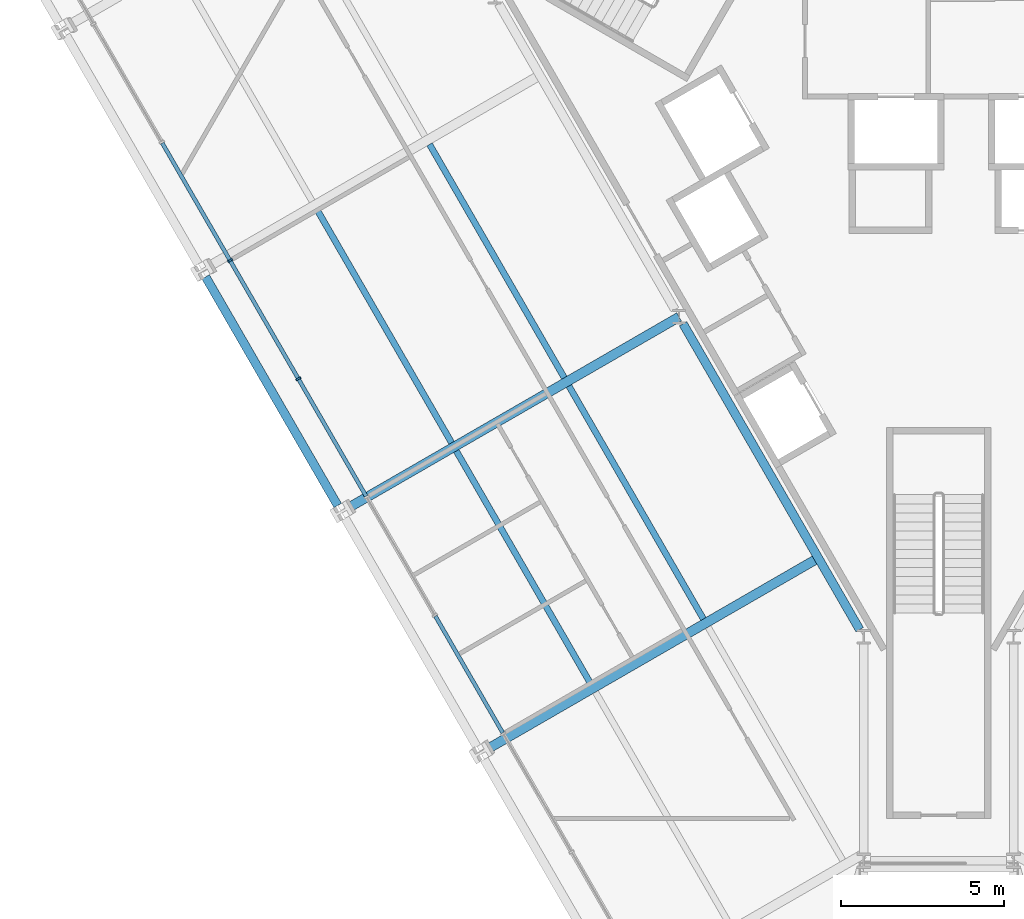
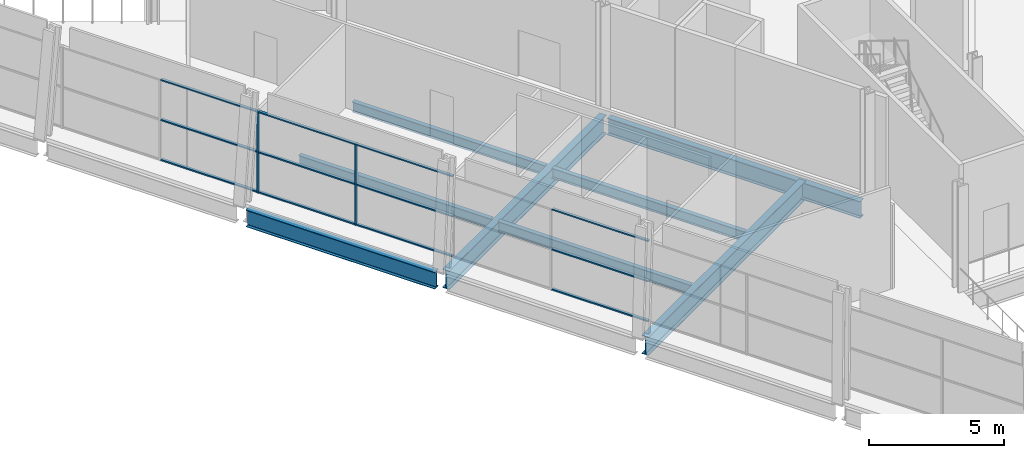
# One storey, part 3 of 18: 14 members, 8 beams, 1 element without a shape of its own.
"""IFC4 building model written with IfcOpenShell, lengths in metres."""

import ifcopenshell
import ifcopenshell.guid

model = None  # the IFC model being written
_history = None  # IfcOwnerHistory: only IFC2X3 demands one
_inside = {}  # id of a spatial element -> (the spatial element, [elements in it])
_under = {}  # id of a project, library or spatial element -> (it, [spatial elements below it])
_declared = {}  # id of a project -> (the project, [libraries it declares])
_typed = {}  # id of a type object -> (the type object, [elements of that type])
_made_of = {}  # id of a material, layer set ... -> (it, [elements and type objects made of it])


def new_model(schema):
    """Start an empty IFC model of exactly this schema.

    Asked for "IFC4X3", IfcOpenShell would pick the latest addendum, in which some entities
    have other attributes; the version numbers below select the first issue.
    IFC2X3 requires an IfcOwnerHistory on every rooted entity: one is made here for all.
    """
    global model, _history
    if schema == "IFC4X3":
        model = ifcopenshell.file(schema_version=(4, 3, 0, 0))
    else:
        model = ifcopenshell.file(schema=schema)
    _inside.clear()
    _under.clear()
    _declared.clear()
    _typed.clear()
    _made_of.clear()
    _history = None
    if model.schema == "IFC2X3":
        org = make("IfcOrganization", Name="unknown")
        user = make(
            "IfcPersonAndOrganization",
            ThePerson=make("IfcPerson", FamilyName="unknown"),
            TheOrganization=org,
        )
        app = make(
            "IfcApplication",
            ApplicationDeveloper=org,
            Version="unknown",
            ApplicationFullName="unknown",
            ApplicationIdentifier="unknown",
        )
        _history = make(
            "IfcOwnerHistory",
            OwningUser=user,
            OwningApplication=app,
            ChangeAction="ADDED",
            CreationDate=0,
        )
    return model


def make(cls, **values):
    """One entity of the class cls with the attributes given. An attribute that is None is left unset."""
    return model.create_entity(
        cls, **{name: value for name, value in values.items() if value is not None}
    )


def rooted(cls, **values):
    """An entity with a GlobalId (a new one), such as an element, a storey or a relation."""
    return make(cls, GlobalId=ifcopenshell.guid.new(), OwnerHistory=_history, **values)


def si_unit(unit_type, name, prefix=None):
    """IfcSIUnit, for example si_unit("LENGTHUNIT", "METRE", prefix="MILLI")."""
    return make("IfcSIUnit", UnitType=unit_type, Prefix=prefix, Name=name)


def assignment(units):
    """IfcUnitAssignment: the units of a project."""
    return None if units is None else make("IfcUnitAssignment", Units=units)


def point(xyz):
    """IfcCartesianPoint."""
    return None if xyz is None else make("IfcCartesianPoint", Coordinates=xyz)


def direction(xyz):
    """IfcDirection."""
    return None if xyz is None else make("IfcDirection", DirectionRatios=xyz)


def frame(location, z_axis=None, x_axis=None):
    """IfcAxis2Placement3D, a coordinate frame: its origin and axes. An axis left out is left unset."""
    return make(
        "IfcAxis2Placement3D",
        Location=point(location),
        Axis=direction(z_axis),
        RefDirection=direction(x_axis),
    )


def frame_2d(location, x_axis=None):
    """IfcAxis2Placement2D, a coordinate frame in the plane: its origin and x axis."""
    return make(
        "IfcAxis2Placement2D", Location=point(location), RefDirection=direction(x_axis)
    )


def origin():
    """The frame at (0, 0, 0) with its axes left unset."""
    return frame((0.0, 0.0, 0.0))


def origin_2d():
    """The frame at (0, 0) in the plane with its x axis left unset."""
    return frame_2d((0.0, 0.0))


def place(relative_to, where):
    """IfcLocalPlacement: puts the frame where relative to a parent placement (None: the world)."""
    return make(
        "IfcLocalPlacement", PlacementRelTo=relative_to, RelativePlacement=where
    )


def context(
    kind, dimensions, precision=None, world=None, true_north=None, identifier=None
):
    """IfcGeometricRepresentationContext, for example the 3D "Model" context."""
    return make(
        "IfcGeometricRepresentationContext",
        ContextIdentifier=identifier,
        ContextType=kind,
        CoordinateSpaceDimension=dimensions,
        Precision=precision,
        WorldCoordinateSystem=world,
        TrueNorth=true_north,
    )


def subcontext(parent, identifier, kind, view, scale=None):
    """IfcGeometricRepresentationSubContext, for example "Body" below "Model"."""
    return make(
        "IfcGeometricRepresentationSubContext",
        ContextIdentifier=identifier,
        ContextType=kind,
        ParentContext=parent,
        TargetScale=scale,
        TargetView=view,
    )


def project(units=None, contexts=None):
    """IfcProject with its units and contexts."""
    return rooted(
        "IfcProject",
        Name="project",
        RepresentationContexts=contexts,
        UnitsInContext=assignment(units),
    )


def spatial(cls, under=None, at=None, **own):
    """A site, building, storey or space (cls), placed at a placement, below another one or the project."""
    s = rooted(cls, ObjectPlacement=at, **own)
    if under is not None:
        _under.setdefault(under.id(), (under, []))[1].append(s)
    return s


def profile(cls, at=None, kind="AREA", **sizes):
    """A parametric profile (cls). Its sizes go by their IFC names, for example OverallWidth=200.0."""
    return make(cls, ProfileType=kind, Position=at, **sizes)


def rectangle(**sizes):
    """IfcRectangleProfileDef."""
    return profile("IfcRectangleProfileDef", **sizes)


def i_section(**sizes):
    """IfcIShapeProfileDef."""
    return profile("IfcIShapeProfileDef", **sizes)


def extrude(swept, where, along, depth):
    """IfcExtrudedAreaSolid: the profile swept, set in the frame where, extruded along a direction by depth."""
    return make(
        "IfcExtrudedAreaSolid",
        SweptArea=swept,
        Position=where,
        ExtrudedDirection=direction(along),
        Depth=depth,
    )


def shape(context_of_items, identifier, shape_type, items):
    """IfcShapeRepresentation: the items that make up one representation, for example the "Body"."""
    return make(
        "IfcShapeRepresentation",
        ContextOfItems=context_of_items,
        RepresentationIdentifier=identifier,
        RepresentationType=shape_type,
        Items=items,
    )


def material(Name=None, Category=None):
    """IfcMaterial."""
    return make("IfcMaterial", Name=Name, Category=Category)


def layer(
    of_material, thickness, ventilated=None, Name=None, Category=None, Priority=None
):
    """IfcMaterialLayer: one layer of a wall or slab, of a material (None: an air gap)."""
    return make(
        "IfcMaterialLayer",
        Material=of_material,
        LayerThickness=thickness,
        IsVentilated=ventilated,
        Name=Name,
        Category=Category,
        Priority=Priority,
    )


def layer_set(layers, Name=None):
    """IfcMaterialLayerSet."""
    return make("IfcMaterialLayerSet", MaterialLayers=layers, LayerSetName=Name)


def material_profile(
    of_material, cross_section, Name=None, Category=None, Priority=None
):
    """IfcMaterialProfile: a cross section and its material."""
    return make(
        "IfcMaterialProfile",
        Name=Name,
        Material=of_material,
        Profile=cross_section,
        Priority=Priority,
        Category=Category,
    )


def profile_set(profiles, Name=None, composite=None):
    """IfcMaterialProfileSet."""
    return make(
        "IfcMaterialProfileSet",
        Name=Name,
        MaterialProfiles=profiles,
        CompositeProfile=composite,
    )


def made_of(thing, what):
    """Note that an element or type object is made of a material, layer set ...; save() writes the relation."""
    if what is not None:
        _made_of.setdefault(what.id(), (what, []))[1].append(thing)
    return thing


def type_object(cls, material=None, **own):
    """A type object (cls), such as IfcWallType, which elements share."""
    return made_of(rooted(cls, **own), material)


def element(
    cls,
    number,
    at=None,
    inside=None,
    cuts=None,
    type_object=None,
    material=None,
    context=None,
    identifier="Body",
    shape_type=None,
    held_by="IfcProductDefinitionShape",
    body=None,
    shapes=None,
    **own,
):
    """One element of the class cls, such as IfcWall. Its Tag is "e" and its number.

    at: its placement. inside: the storey or other place that contains it. cuts: it is an
    opening in that element (IfcRelVoidsElement). A single representation is given by context,
    identifier, shape_type and body (its items); several are given by shapes. held_by: the class
    of the entity that holds the representations. save() writes the other relations.
    """
    e = rooted(cls, Tag="e%d" % number, ObjectPlacement=at, **own)
    if body is not None:
        shapes = [shape(context, identifier, shape_type, body)]
    if shapes is not None:
        e.Representation = make(held_by, Representations=shapes)
    if inside is not None:
        _inside.setdefault(inside.id(), (inside, []))[1].append(e)
    if cuts is not None:
        rooted(
            "IfcRelVoidsElement", RelatingBuildingElement=cuts, RelatedOpeningElement=e
        )
    if type_object is not None:
        _typed.setdefault(type_object.id(), (type_object, []))[1].append(e)
    return made_of(e, material)


def aggregate(whole, parts):
    """IfcRelAggregates: a whole, such as a stair, and the parts it consists of."""
    return rooted("IfcRelAggregates", RelatingObject=whole, RelatedObjects=parts)


def save(model, path):
    """Write the relations noted so far, then the file.

    IfcRelAggregates (storeys below a building ...), IfcRelContainedInSpatialStructure (elements
    in a storey), IfcRelDefinesByType, IfcRelAssociatesMaterial and IfcRelDeclares: one each for
    every whole, place, type object, material and project.
    """
    for whole, parts in _under.values():
        aggregate(whole, parts)
    for where, things in _inside.values():
        rooted(
            "IfcRelContainedInSpatialStructure",
            RelatedElements=things,
            RelatingStructure=where,
        )
    for kind, things in _typed.values():
        rooted("IfcRelDefinesByType", RelatedObjects=things, RelatingType=kind)
    for what, things in _made_of.values():
        rooted("IfcRelAssociatesMaterial", RelatedObjects=things, RelatingMaterial=what)
    for by, libraries in _declared.values():
        rooted("IfcRelDeclares", RelatingContext=by, RelatedDefinitions=libraries)
    model.write(path)


model = new_model("IFC4")

# Units and contexts
model_context = context("Model", 3, precision=1e-05, world=origin(), true_north=direction((0.0, 1.0)))
body_context = subcontext(model_context, "Body", "Model", "MODEL_VIEW")
ifc_project = project(units=[si_unit("LENGTHUNIT", "METRE"), si_unit("AREAUNIT", "SQUARE_METRE"), si_unit("VOLUMEUNIT", "CUBIC_METRE"), si_unit("PLANEANGLEUNIT", "RADIAN"), si_unit("MASSUNIT", "GRAM", prefix="KILO")], contexts=[model_context])

# Site, building, storey
site_placement = place(None, origin())
site = spatial("IfcSite", under=ifc_project, at=site_placement, CompositionType="ELEMENT")
building_placement = place(site_placement, origin())
building = spatial("IfcBuilding", under=site, at=building_placement, Name="Verrane Prism Tower", CompositionType="ELEMENT")
storey_placement = place(building_placement, frame((0.0, 0.0, 32.0)))
storey = spatial("IfcBuildingStorey", under=building, at=storey_placement, Name="L05", CompositionType="ELEMENT", Elevation=32.0)

# Curtain wall, members
ifc_material_1 = material(Name="Aluminium and glass curtain wall", Category="aluminium")
ifc_layer = layer(ifc_material_1, 0.199951171875)
ifc_layer_set = layer_set([ifc_layer], Name="CWB-1 retail curtain wall")
curtain_wall_type = type_object("IfcCurtainWallType", Name="CWB-1 retail curtain wall", PredefinedType="NOTDEFINED", material=ifc_layer_set)
curtain_wall_placement = place(storey_placement, origin())
curtain_wall = element("IfcCurtainWall", 1, at=curtain_wall_placement, inside=storey, type_object=curtain_wall_type, Name="Retail curtain wall L05 4", PredefinedType="NOTDEFINED")
ifc_material_2 = material(Name="Aluminium", Category="aluminium")
ifc_material_profile_1 = material_profile(ifc_material_2, rectangle(XDim=0.159912109375, YDim=0.06005859375, at=origin_2d()), Name="CWB-M 60x160 mullion")
ifc_profile_set_1 = profile_set([ifc_material_profile_1], Name="Aluminium")
member_type_1 = type_object("IfcMemberType", Name="CWB-M 60x160 mullion", PredefinedType="MULLION", material=ifc_profile_set_1)
member_1_placement = place(storey_placement, frame((-21.74560546875, -2.87548828125, 0.0), z_axis=(0.0, 0.0, 1.0), x_axis=(0.866025335097, 0.50000011897, 0.0)))
member_1 = element("IfcMember", 2, at=member_1_placement, type_object=member_type_1, Name="CWB54 mullion 5", PredefinedType="MULLION", context=body_context, shape_type="SweptSolid", body=[
    extrude(rectangle(XDim=0.159912109375, YDim=0.06005859375, at=origin_2d()), origin(), (0.0, 0.0, 1.0), 3.68994140625),
])
member_2_placement = place(storey_placement, frame((-19.64990234375, -6.505126953125, 0.0), z_axis=(0.0, 0.0, 1.0), x_axis=(0.866025335097, 0.50000011897, 0.0)))
member_2 = element("IfcMember", 3, at=member_2_placement, type_object=member_type_1, Name="CWB54 mullion 6", PredefinedType="MULLION", context=body_context, shape_type="SweptSolid", body=[
    extrude(rectangle(XDim=0.159912109375, YDim=0.06005859375, at=origin_2d()), origin(), (0.0, 0.0, 1.0), 3.68994140625),
])
ifc_material_3 = material(Name="Aluminium", Category="aluminium")
ifc_material_profile_2 = material_profile(ifc_material_3, rectangle(XDim=0.1201171875, YDim=0.06005859375, at=origin_2d()), Name="CWB-T 60x120 transom")
ifc_profile_set_2 = profile_set([ifc_material_profile_2], Name="Aluminium")
member_type_2 = type_object("IfcMemberType", Name="CWB-T 60x120 transom", PredefinedType="USERDEFINED", material=ifc_profile_set_2)
member_3_placement = place(storey_placement, frame((-23.826416015625, 0.728271484375, 0.030029296875), z_axis=(0.500022567122, -0.866012374259, 0.0), x_axis=(0.866012374259, 0.500022567122, 0.0)))
member_3 = element("IfcMember", 4, at=member_3_placement, type_object=member_type_2, Name="CWB54 transom 4.1", ObjectType="TRANSOM", PredefinedType="USERDEFINED", context=body_context, shape_type="SweptSolid", body=[
    extrude(rectangle(XDim=0.1201171875, YDim=0.06005859375, at=origin_2d()), origin(), (0.0, 0.0, 1.0), 4.131103515625),
])
member_4_placement = place(storey_placement, frame((-23.826416015625, 0.728271484375, 1.844970703125), z_axis=(0.500022567122, -0.866012374259, 0.0), x_axis=(0.866012374259, 0.500022567122, 0.0)))
member_4 = element("IfcMember", 5, at=member_4_placement, type_object=member_type_2, Name="CWB54 transom 4.2", ObjectType="TRANSOM", PredefinedType="USERDEFINED", context=body_context, shape_type="SweptSolid", body=[
    extrude(rectangle(XDim=0.1201171875, YDim=0.06005859375, at=origin_2d()), origin(), (0.0, 0.0, 1.0), 4.131103515625),
])
member_5_placement = place(storey_placement, frame((-23.826416015625, 0.728271484375, 3.659912109375), z_axis=(0.500022567122, -0.866012374259, 0.0), x_axis=(0.866012374259, 0.500022567122, 0.0)))
member_5 = element("IfcMember", 6, at=member_5_placement, type_object=member_type_2, Name="CWB54 transom 4.3", ObjectType="TRANSOM", PredefinedType="USERDEFINED", context=body_context, shape_type="SweptSolid", body=[
    extrude(rectangle(XDim=0.1201171875, YDim=0.06005859375, at=origin_2d()), origin(), (0.0, 0.0, 1.0), 4.131103515625),
])
member_6_placement = place(storey_placement, frame((-21.730712890625, -2.9013671875, 0.030029296875), z_axis=(0.499996977546, -0.866027148792, 0.0), x_axis=(0.866027148792, 0.499996977546, 0.0)))
member_6 = element("IfcMember", 7, at=member_6_placement, type_object=member_type_2, Name="CWB54 transom 5.1", ObjectType="TRANSOM", PredefinedType="USERDEFINED", context=body_context, shape_type="SweptSolid", body=[
    extrude(rectangle(XDim=0.1201171875, YDim=0.06005859375, at=origin_2d()), origin(), (0.0, 0.0, 1.0), 4.13134765625),
])
member_7_placement = place(storey_placement, frame((-21.730712890625, -2.9013671875, 1.844970703125), z_axis=(0.499996977546, -0.866027148792, 0.0), x_axis=(0.866027148792, 0.499996977546, 0.0)))
member_7 = element("IfcMember", 8, at=member_7_placement, type_object=member_type_2, Name="CWB54 transom 5.2", ObjectType="TRANSOM", PredefinedType="USERDEFINED", context=body_context, shape_type="SweptSolid", body=[
    extrude(rectangle(XDim=0.1201171875, YDim=0.06005859375, at=origin_2d()), origin(), (0.0, 0.0, 1.0), 4.13134765625),
])
member_8_placement = place(storey_placement, frame((-21.730712890625, -2.9013671875, 3.659912109375), z_axis=(0.499996977546, -0.866027148792, 0.0), x_axis=(0.866027148792, 0.499996977546, 0.0)))
member_8 = element("IfcMember", 9, at=member_8_placement, type_object=member_type_2, Name="CWB54 transom 5.3", ObjectType="TRANSOM", PredefinedType="USERDEFINED", context=body_context, shape_type="SweptSolid", body=[
    extrude(rectangle(XDim=0.1201171875, YDim=0.06005859375, at=origin_2d()), origin(), (0.0, 0.0, 1.0), 4.13134765625),
])
member_9_placement = place(storey_placement, frame((-19.635009765625, -6.53125, 0.030029296875), z_axis=(0.499996977546, -0.866027148792, 0.0), x_axis=(0.866027148792, 0.499996977546, 0.0)))
member_9 = element("IfcMember", 10, at=member_9_placement, type_object=member_type_2, Name="CWB54 transom 6.1", ObjectType="TRANSOM", PredefinedType="USERDEFINED", context=body_context, shape_type="SweptSolid", body=[
    extrude(rectangle(XDim=0.1201171875, YDim=0.06005859375, at=origin_2d()), origin(), (0.0, 0.0, 1.0), 4.13134765625),
])
member_10_placement = place(storey_placement, frame((-19.635009765625, -6.53125, 1.844970703125), z_axis=(0.499996977546, -0.866027148792, 0.0), x_axis=(0.866027148792, 0.499996977546, 0.0)))
member_10 = element("IfcMember", 11, at=member_10_placement, type_object=member_type_2, Name="CWB54 transom 6.2", ObjectType="TRANSOM", PredefinedType="USERDEFINED", context=body_context, shape_type="SweptSolid", body=[
    extrude(rectangle(XDim=0.1201171875, YDim=0.06005859375, at=origin_2d()), origin(), (0.0, 0.0, 1.0), 4.13134765625),
])
member_11_placement = place(storey_placement, frame((-19.635009765625, -6.53125, 3.659912109375), z_axis=(0.499996977546, -0.866027148792, 0.0), x_axis=(0.866027148792, 0.499996977546, 0.0)))
member_11 = element("IfcMember", 12, at=member_11_placement, type_object=member_type_2, Name="CWB54 transom 6.3", ObjectType="TRANSOM", PredefinedType="USERDEFINED", context=body_context, shape_type="SweptSolid", body=[
    extrude(rectangle(XDim=0.1201171875, YDim=0.06005859375, at=origin_2d()), origin(), (0.0, 0.0, 1.0), 4.13134765625),
])
member_12_placement = place(storey_placement, frame((-15.443603515625, -13.790771484375, 0.030029296875), z_axis=(0.499996977546, -0.866027148792, 0.0), x_axis=(0.866027148792, 0.499996977546, 0.0)))
member_12 = element("IfcMember", 13, at=member_12_placement, type_object=member_type_2, Name="CWB54 transom 8.1", ObjectType="TRANSOM", PredefinedType="USERDEFINED", context=body_context, shape_type="SweptSolid", body=[
    extrude(rectangle(XDim=0.1201171875, YDim=0.06005859375, at=origin_2d()), origin(), (0.0, 0.0, 1.0), 4.13134765625),
])
member_13_placement = place(storey_placement, frame((-15.443603515625, -13.790771484375, 1.844970703125), z_axis=(0.499996977546, -0.866027148792, 0.0), x_axis=(0.866027148792, 0.499996977546, 0.0)))
member_13 = element("IfcMember", 14, at=member_13_placement, type_object=member_type_2, Name="CWB54 transom 8.2", ObjectType="TRANSOM", PredefinedType="USERDEFINED", context=body_context, shape_type="SweptSolid", body=[
    extrude(rectangle(XDim=0.1201171875, YDim=0.06005859375, at=origin_2d()), origin(), (0.0, 0.0, 1.0), 4.13134765625),
])
member_14_placement = place(storey_placement, frame((-15.443603515625, -13.790771484375, 3.659912109375), z_axis=(0.499996977546, -0.866027148792, 0.0), x_axis=(0.866027148792, 0.499996977546, 0.0)))
member_14 = element("IfcMember", 15, at=member_14_placement, type_object=member_type_2, Name="CWB54 transom 8.3", ObjectType="TRANSOM", PredefinedType="USERDEFINED", context=body_context, shape_type="SweptSolid", body=[
    extrude(rectangle(XDim=0.1201171875, YDim=0.06005859375, at=origin_2d()), origin(), (0.0, 0.0, 1.0), 4.13134765625),
])
aggregate(curtain_wall, [member_1, member_2, member_3, member_4, member_5, member_6, member_7, member_8, member_9, member_10, member_11, member_12, member_13, member_14])

# Beams
ifc_material_4 = material(Name="Steel A992", Category="steel")
ifc_material_profile_3 = material_profile(ifc_material_4, i_section(OverallWidth=0.2666015625, OverallDepth=0.76708984375, WebThickness=0.014892578125, FlangeThickness=0.023681640625, FilletRadius=0.0166015625, at=origin_2d()), Name="W30x124")
ifc_profile_set_3 = profile_set([ifc_material_profile_3], Name="Steel A992")
beam_type_1 = type_object("IfcBeamType", Name="Core ring girder W30x124", PredefinedType="BEAM", material=ifc_profile_set_3)
beam_1_placement = place(storey_placement, frame((-7.844482421875, -4.817138671875, -0.633544921875), z_axis=(0.500022744667, -0.866012271747, 0.0), x_axis=(0.866012271747, 0.500022744667, 0.0)))
element("IfcBeam", 16, at=beam_1_placement, inside=storey, type_object=beam_type_1, Name="Core ring girder L05", PredefinedType="BEAM", context=body_context, shape_type="SweptSolid", body=[
    extrude(i_section(OverallWidth=0.2666015625, OverallDepth=0.76708984375, WebThickness=0.014892578125, FlangeThickness=0.023681640625, FilletRadius=0.0166015625, at=origin_2d()), origin(), (0.0, 0.0, 1.0), 10.837890625),
])
ifc_material_5 = material(Name="Steel A992", Category="steel")
ifc_material_profile_4 = material_profile(ifc_material_5, i_section(OverallWidth=0.1904296875, OverallDepth=0.457275390625, WebThickness=0.009033203125, FlangeThickness=0.014404296875, FilletRadius=0.01025390625, at=origin_2d()), Name="W18x50")
ifc_profile_set_4 = profile_set([ifc_material_profile_4], Name="Steel A992")
beam_type_2 = type_object("IfcBeamType", Name="Floor beam W18x50", PredefinedType="BEAM", material=ifc_profile_set_4)
beam_2_placement = place(storey_placement, frame((-11.48974609375, -6.47314453125, -0.388671875), z_axis=(-0.500010437756, 0.866019377459, 0.0), x_axis=(-0.866019377459, -0.500010437756, 0.0)))
element("IfcBeam", 17, at=beam_2_placement, inside=storey, type_object=beam_type_2, Name="Floor beam L05", PredefinedType="BEAM", context=body_context, shape_type="SweptSolid", body=[
    extrude(i_section(OverallWidth=0.1904296875, OverallDepth=0.457275390625, WebThickness=0.009033203125, FlangeThickness=0.014404296875, FilletRadius=0.01025390625, at=origin_2d()), origin(), (0.0, 0.0, 1.0), 8.267822265625),
])
beam_3_placement = place(storey_placement, frame((-14.947021484375, -8.46875, -0.388671875), z_axis=(-0.500007931068, 0.866020824732, 0.0), x_axis=(-0.866020824732, -0.500007931068, 0.0)))
element("IfcBeam", 18, at=beam_3_placement, inside=storey, type_object=beam_type_2, Name="Floor beam L05", PredefinedType="BEAM", context=body_context, shape_type="SweptSolid", body=[
    extrude(i_section(OverallWidth=0.1904296875, OverallDepth=0.457275390625, WebThickness=0.009033203125, FlangeThickness=0.014404296875, FilletRadius=0.01025390625, at=origin_2d()), origin(), (0.0, 0.0, 1.0), 8.266357421875),
])
beam_4_placement = place(storey_placement, frame((-7.2197265625, -13.876953125, -0.388671875), z_axis=(-0.499987846292, 0.866032420617, 0.0), x_axis=(-0.866032420617, -0.499987846292, 0.0)))
element("IfcBeam", 19, at=beam_4_placement, inside=storey, type_object=beam_type_2, Name="Floor beam L05", PredefinedType="BEAM", context=body_context, shape_type="SweptSolid", body=[
    extrude(i_section(OverallWidth=0.1904296875, OverallDepth=0.457275390625, WebThickness=0.009033203125, FlangeThickness=0.014404296875, FilletRadius=0.01025390625, at=origin_2d()), origin(), (0.0, 0.0, 1.0), 8.255126953125),
])
beam_5_placement = place(storey_placement, frame((-10.67626953125, -15.8701171875, -0.388671875), z_axis=(-0.500010949126, 0.866019082211, 0.0), x_axis=(-0.866019082211, -0.500010949126, 0.0)))
element("IfcBeam", 20, at=beam_5_placement, inside=storey, type_object=beam_type_2, Name="Floor beam L05", PredefinedType="BEAM", context=body_context, shape_type="SweptSolid", body=[
    extrude(i_section(OverallWidth=0.1904296875, OverallDepth=0.457275390625, WebThickness=0.009033203125, FlangeThickness=0.014404296875, FilletRadius=0.01025390625, at=origin_2d()), origin(), (0.0, 0.0, 1.0), 8.253173828125),
])
ifc_material_6 = material(Name="Steel A992", Category="steel")
ifc_material_profile_5 = material_profile(ifc_material_6, i_section(OverallWidth=0.2919921875, OverallDepth=0.845703125, WebThickness=0.015380859375, FlangeThickness=0.0244140625, FilletRadius=0.017822265625, at=origin_2d()), Name="W33x141")
ifc_profile_set_5 = profile_set([ifc_material_profile_5], Name="Steel A992")
beam_type_3 = type_object("IfcBeamType", Name="Radial girder W33x141", PredefinedType="BEAM", material=ifc_profile_set_5)
beam_6_placement = place(storey_placement, frame((-18.08349609375, -10.44775390625, -0.642822265625), z_axis=(0.866019930389, 0.500009480079, 0.0), x_axis=(-0.500009480079, 0.866019930389, 0.0)))
element("IfcBeam", 21, at=beam_6_placement, inside=storey, type_object=beam_type_3, Name="Radial girder L05", PredefinedType="BEAM", context=body_context, shape_type="SweptSolid", body=[
    extrude(i_section(OverallWidth=0.2919921875, OverallDepth=0.845703125, WebThickness=0.015380859375, FlangeThickness=0.0244140625, FilletRadius=0.017822265625, at=origin_2d()), origin(), (0.0, 0.0, 1.0), 11.682373046875),
])
beam_7_placement = place(storey_placement, frame((-13.813720703125, -17.847900390625, -0.642822265625), z_axis=(0.866026929639, 0.499997357134, 0.0), x_axis=(-0.499997357134, 0.866026929639, 0.0)))
element("IfcBeam", 22, at=beam_7_placement, inside=storey, type_object=beam_type_3, Name="Radial girder L05", PredefinedType="BEAM", context=body_context, shape_type="SweptSolid", body=[
    extrude(i_section(OverallWidth=0.2919921875, OverallDepth=0.845703125, WebThickness=0.015380859375, FlangeThickness=0.0244140625, FilletRadius=0.017822265625, at=origin_2d()), origin(), (0.0, 0.0, 1.0), 11.68505859375),
])
ifc_material_7 = material(Name="Steel A992", Category="steel")
ifc_material_profile_6 = material_profile(ifc_material_7, i_section(OverallWidth=0.2666015625, OverallDepth=0.76708984375, WebThickness=0.014892578125, FlangeThickness=0.023681640625, FilletRadius=0.0166015625, at=origin_2d()), Name="W30x124")
ifc_profile_set_6 = profile_set([ifc_material_profile_6], Name="Steel A992")
beam_type_4 = type_object("IfcBeamType", Name="Spandrel beam W30x124", PredefinedType="SPANDREL", material=ifc_profile_set_6)
beam_8_placement = place(storey_placement, frame((-22.496337890625, -3.376953125, -0.54345703125), z_axis=(0.500183217764, -0.865919597115, 0.0), x_axis=(0.865919597115, 0.500183217764, 0.0)))
element("IfcBeam", 23, at=beam_8_placement, inside=storey, type_object=beam_type_4, Name="Spandrel beam L05", PredefinedType="SPANDREL", context=body_context, shape_type="SweptSolid", body=[
    extrude(i_section(OverallWidth=0.2666015625, OverallDepth=0.76708984375, WebThickness=0.014892578125, FlangeThickness=0.023681640625, FilletRadius=0.0166015625, at=origin_2d()), origin(), (0.0, 0.0, 1.0), 8.1025390625),
])

save(model, "model.ifc")
